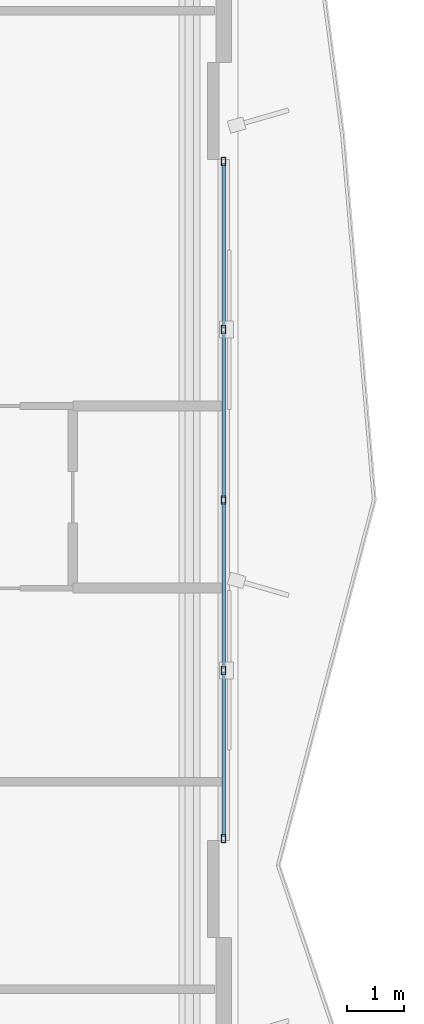
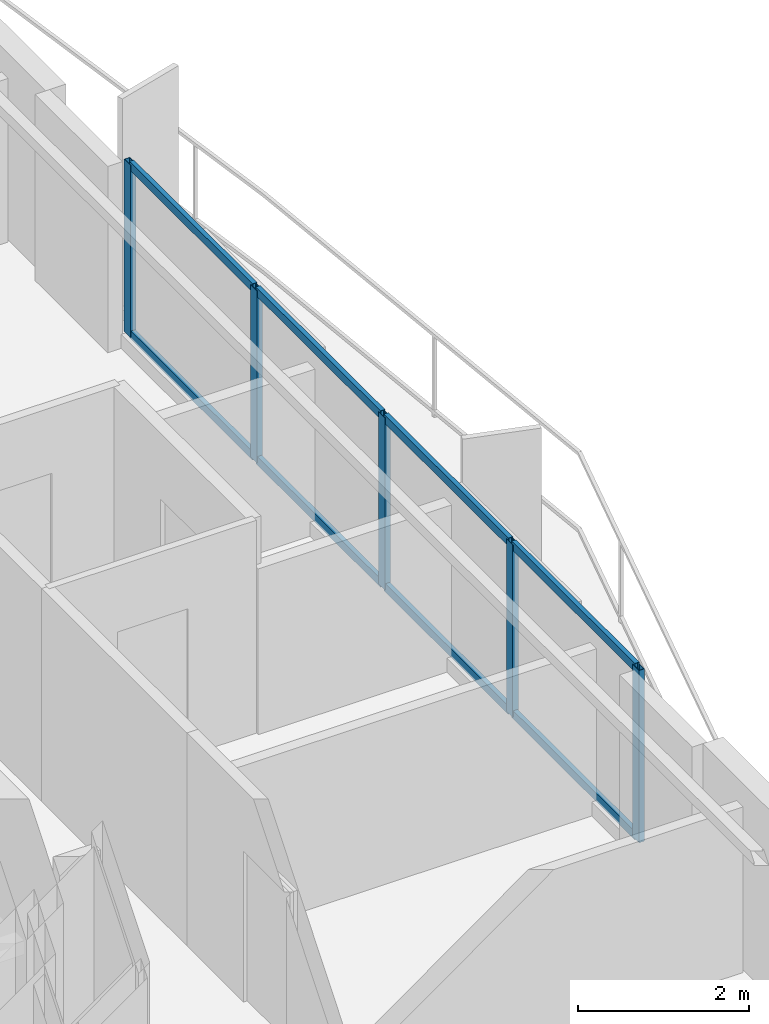
# One storey, part 6 of 18: 13 members, 1 element without a shape of its own.
"""IFC4 building model written with IfcOpenShell, lengths in metres."""

from ifc_helpers import new_model, si_unit, direction, frame, origin, origin_2d, place, context, subcontext, project, spatial, hollow_rectangle, extrude, material, layer, layer_set, material_profile, profile_set, type_object, element, aggregate, save


model = new_model("IFC4")

# Units and contexts
model_context = context("Model", 3, precision=1e-05, world=origin(), true_north=direction((0.0, 1.0)))
body_context = subcontext(model_context, "Body", "Model", "MODEL_VIEW")
ifc_project = project(units=[si_unit("LENGTHUNIT", "METRE"), si_unit("AREAUNIT", "SQUARE_METRE"), si_unit("VOLUMEUNIT", "CUBIC_METRE"), si_unit("PLANEANGLEUNIT", "RADIAN"), si_unit("MASSUNIT", "GRAM", prefix="KILO")], contexts=[model_context])

# Site, building, storey
site_placement = place(None, origin())
site = spatial("IfcSite", under=ifc_project, at=site_placement, CompositionType="ELEMENT")
building_placement = place(site_placement, origin())
building = spatial("IfcBuilding", under=site, at=building_placement, Name="Mersakhor Tower and Convention Hall", CompositionType="ELEMENT")
storey_placement = place(building_placement, frame((0.0, 0.0, 55.5)))
storey = spatial("IfcBuildingStorey", under=building, at=storey_placement, Name="L15", CompositionType="ELEMENT", Elevation=55.5)

# Curtain wall, members
ifc_material_1 = material(Name="Dark solar low-E aluminium curtain wall", Category="aluminium")
ifc_layer = layer(ifc_material_1, 0.159912109375)
ifc_layer_set = layer_set([ifc_layer], Name="Dark solar low-E aluminium curtain wall")
curtain_wall_type = type_object("IfcCurtainWallType", Name="CW-SYS-01", PredefinedType="USERDEFINED", material=ifc_layer_set)
curtain_wall_placement = place(storey_placement, origin())
curtain_wall = element("IfcCurtainWall", 1, at=curtain_wall_placement, inside=storey, type_object=curtain_wall_type, Name="L15 Dark-Glass Curtain Wall F2-B2", ObjectType="CURTAIN WALL", PredefinedType="USERDEFINED")
ifc_material_2 = material(Name="Anodised aluminium EN AW-6063 T6", Category="aluminium")
ifc_material_profile_1 = material_profile(ifc_material_2, hollow_rectangle(XDim=0.074951171875, YDim=0.14990234375, WallThickness=0.00634765625, at=origin_2d()), Name="RHS 150x75x6.3")
ifc_profile_set_1 = profile_set([ifc_material_profile_1], Name="Anodised aluminium EN AW-6063 T6")
member_type_1 = type_object("IfcMemberType", Name="CWM-150x75", PredefinedType="MULLION", material=ifc_profile_set_1)
member_1_placement = place(storey_placement, frame((43.85009765625, 32.69921875, 0.199951171875), z_axis=(0.0, 0.0, 1.0), x_axis=(1.0, 0.0, 0.0)))
member_1 = element("IfcMember", 2, at=member_1_placement, type_object=member_type_1, Name="CW-01 mullion 1", PredefinedType="MULLION", context=body_context, shape_type="SweptSolid", body=[
    extrude(hollow_rectangle(XDim=0.074951171875, YDim=0.14990234375, WallThickness=0.00634765625, at=origin_2d()), origin(), (0.0, 0.0, 1.0), 2.4599609375),
])
member_2_placement = place(storey_placement, frame((43.85009765625, 29.743408203125, 0.199951171875), z_axis=(0.0, 0.0, 1.0), x_axis=(1.0, 0.0, 0.0)))
member_2 = element("IfcMember", 3, at=member_2_placement, type_object=member_type_1, Name="CW-01 mullion 2", PredefinedType="MULLION", context=body_context, shape_type="SweptSolid", body=[
    extrude(hollow_rectangle(XDim=0.074951171875, YDim=0.14990234375, WallThickness=0.00634765625, at=origin_2d()), origin(), (0.0, 0.0, 1.0), 2.4599609375),
])
member_3_placement = place(storey_placement, frame((43.85009765625, 26.75, 0.199951171875), z_axis=(0.0, 0.0, 1.0), x_axis=(1.0, 0.0, 0.0)))
member_3 = element("IfcMember", 4, at=member_3_placement, type_object=member_type_1, Name="CW-01 mullion 3", PredefinedType="MULLION", context=body_context, shape_type="SweptSolid", body=[
    extrude(hollow_rectangle(XDim=0.074951171875, YDim=0.14990234375, WallThickness=0.00634765625, at=origin_2d()), origin(), (0.0, 0.0, 1.0), 2.4599609375),
])
member_4_placement = place(storey_placement, frame((43.85009765625, 23.756591796875, 0.199951171875), z_axis=(0.0, 0.0, 1.0), x_axis=(1.0, 0.0, 0.0)))
member_4 = element("IfcMember", 5, at=member_4_placement, type_object=member_type_1, Name="CW-01 mullion 4", PredefinedType="MULLION", context=body_context, shape_type="SweptSolid", body=[
    extrude(hollow_rectangle(XDim=0.074951171875, YDim=0.14990234375, WallThickness=0.00634765625, at=origin_2d()), origin(), (0.0, 0.0, 1.0), 2.4599609375),
])
member_5_placement = place(storey_placement, frame((43.85009765625, 20.80078125, 0.199951171875), z_axis=(0.0, 0.0, 1.0), x_axis=(1.0, 0.0, 0.0)))
member_5 = element("IfcMember", 6, at=member_5_placement, type_object=member_type_1, Name="CW-01 mullion 5", PredefinedType="MULLION", context=body_context, shape_type="SweptSolid", body=[
    extrude(hollow_rectangle(XDim=0.074951171875, YDim=0.14990234375, WallThickness=0.00634765625, at=origin_2d()), origin(), (0.0, 0.0, 1.0), 2.4599609375),
])
ifc_material_3 = material(Name="Anodised aluminium EN AW-6063 T6", Category="aluminium")
ifc_material_profile_2 = material_profile(ifc_material_3, hollow_rectangle(XDim=0.06005859375, YDim=0.1201171875, WallThickness=0.0048828125, at=origin_2d()), Name="RHS 120x60x5")
ifc_profile_set_2 = profile_set([ifc_material_profile_2], Name="Anodised aluminium EN AW-6063 T6")
member_type_2 = type_object("IfcMemberType", Name="CWT-120x60", PredefinedType="USERDEFINED", material=ifc_profile_set_2)
member_6_placement = place(storey_placement, frame((43.85009765625, 32.66162109375, 0.22998046875), z_axis=(0.0, -1.0, 0.0), x_axis=(1.0, 0.0, 0.0)))
member_6 = element("IfcMember", 7, at=member_6_placement, type_object=member_type_2, Name="CW-01 transom 1.1", ObjectType="TRANSOM", PredefinedType="USERDEFINED", context=body_context, shape_type="SweptSolid", body=[
    extrude(hollow_rectangle(XDim=0.06005859375, YDim=0.1201171875, WallThickness=0.0048828125, at=origin_2d()), origin(), (0.0, 0.0, 1.0), 2.880859375),
])
member_7_placement = place(storey_placement, frame((43.85009765625, 32.66162109375, 2.6298828125), z_axis=(0.0, -1.0, 0.0), x_axis=(1.0, 0.0, 0.0)))
member_7 = element("IfcMember", 8, at=member_7_placement, type_object=member_type_2, Name="CW-01 transom 1.2", ObjectType="TRANSOM", PredefinedType="USERDEFINED", context=body_context, shape_type="SweptSolid", body=[
    extrude(hollow_rectangle(XDim=0.06005859375, YDim=0.1201171875, WallThickness=0.0048828125, at=origin_2d()), origin(), (0.0, 0.0, 1.0), 2.880859375),
])
member_8_placement = place(storey_placement, frame((43.85009765625, 29.705810546875, 0.22998046875), z_axis=(0.0, -1.0, 0.0), x_axis=(1.0, 0.0, 0.0)))
member_8 = element("IfcMember", 9, at=member_8_placement, type_object=member_type_2, Name="CW-01 transom 2.1", ObjectType="TRANSOM", PredefinedType="USERDEFINED", context=body_context, shape_type="SweptSolid", body=[
    extrude(hollow_rectangle(XDim=0.06005859375, YDim=0.1201171875, WallThickness=0.0048828125, at=origin_2d()), origin(), (0.0, 0.0, 1.0), 2.918212890625),
])
member_9_placement = place(storey_placement, frame((43.85009765625, 29.705810546875, 2.6298828125), z_axis=(0.0, -1.0, 0.0), x_axis=(1.0, 0.0, 0.0)))
member_9 = element("IfcMember", 10, at=member_9_placement, type_object=member_type_2, Name="CW-01 transom 2.2", ObjectType="TRANSOM", PredefinedType="USERDEFINED", context=body_context, shape_type="SweptSolid", body=[
    extrude(hollow_rectangle(XDim=0.06005859375, YDim=0.1201171875, WallThickness=0.0048828125, at=origin_2d()), origin(), (0.0, 0.0, 1.0), 2.918212890625),
])
member_10_placement = place(storey_placement, frame((43.85009765625, 26.71240234375, 0.22998046875), z_axis=(0.0, -1.0, 0.0), x_axis=(1.0, 0.0, 0.0)))
member_10 = element("IfcMember", 11, at=member_10_placement, type_object=member_type_2, Name="CW-01 transom 3.1", ObjectType="TRANSOM", PredefinedType="USERDEFINED", context=body_context, shape_type="SweptSolid", body=[
    extrude(hollow_rectangle(XDim=0.06005859375, YDim=0.1201171875, WallThickness=0.0048828125, at=origin_2d()), origin(), (0.0, 0.0, 1.0), 2.918212890625),
])
member_11_placement = place(storey_placement, frame((43.85009765625, 26.71240234375, 2.6298828125), z_axis=(0.0, -1.0, 0.0), x_axis=(1.0, 0.0, 0.0)))
member_11 = element("IfcMember", 12, at=member_11_placement, type_object=member_type_2, Name="CW-01 transom 3.2", ObjectType="TRANSOM", PredefinedType="USERDEFINED", context=body_context, shape_type="SweptSolid", body=[
    extrude(hollow_rectangle(XDim=0.06005859375, YDim=0.1201171875, WallThickness=0.0048828125, at=origin_2d()), origin(), (0.0, 0.0, 1.0), 2.918212890625),
])
member_12_placement = place(storey_placement, frame((43.85009765625, 23.71923828125, 0.22998046875), z_axis=(0.0, -1.0, 0.0), x_axis=(1.0, 0.0, 0.0)))
member_12 = element("IfcMember", 13, at=member_12_placement, type_object=member_type_2, Name="CW-01 transom 4.1", ObjectType="TRANSOM", PredefinedType="USERDEFINED", context=body_context, shape_type="SweptSolid", body=[
    extrude(hollow_rectangle(XDim=0.06005859375, YDim=0.1201171875, WallThickness=0.0048828125, at=origin_2d()), origin(), (0.0, 0.0, 1.0), 2.880859375),
])
member_13_placement = place(storey_placement, frame((43.85009765625, 23.71923828125, 2.6298828125), z_axis=(0.0, -1.0, 0.0), x_axis=(1.0, 0.0, 0.0)))
member_13 = element("IfcMember", 14, at=member_13_placement, type_object=member_type_2, Name="CW-01 transom 4.2", ObjectType="TRANSOM", PredefinedType="USERDEFINED", context=body_context, shape_type="SweptSolid", body=[
    extrude(hollow_rectangle(XDim=0.06005859375, YDim=0.1201171875, WallThickness=0.0048828125, at=origin_2d()), origin(), (0.0, 0.0, 1.0), 2.880859375),
])
aggregate(curtain_wall, [member_1, member_2, member_3, member_4, member_5, member_6, member_7, member_8, member_9, member_10, member_11, member_12, member_13])

save(model, "model.ifc")
